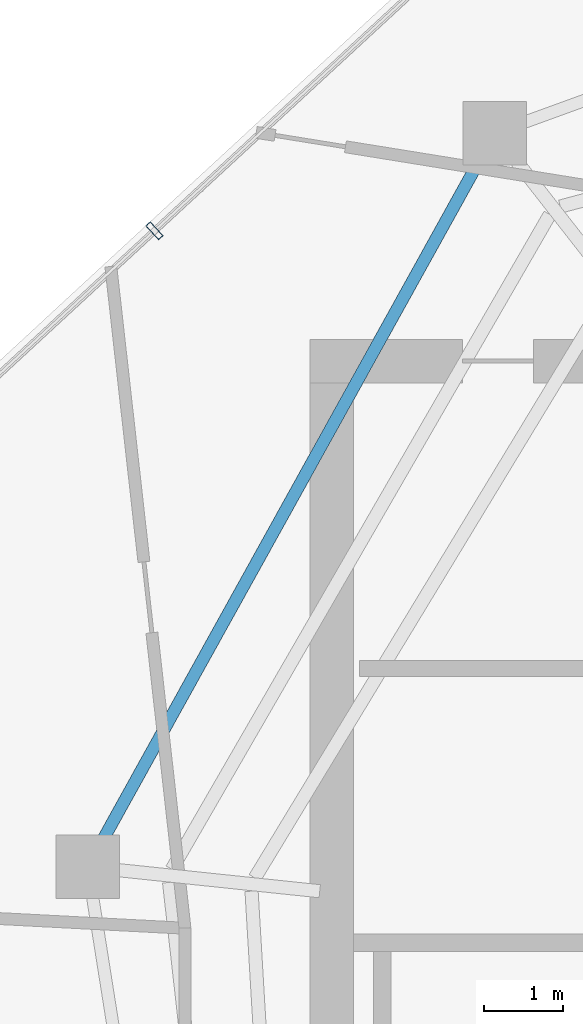
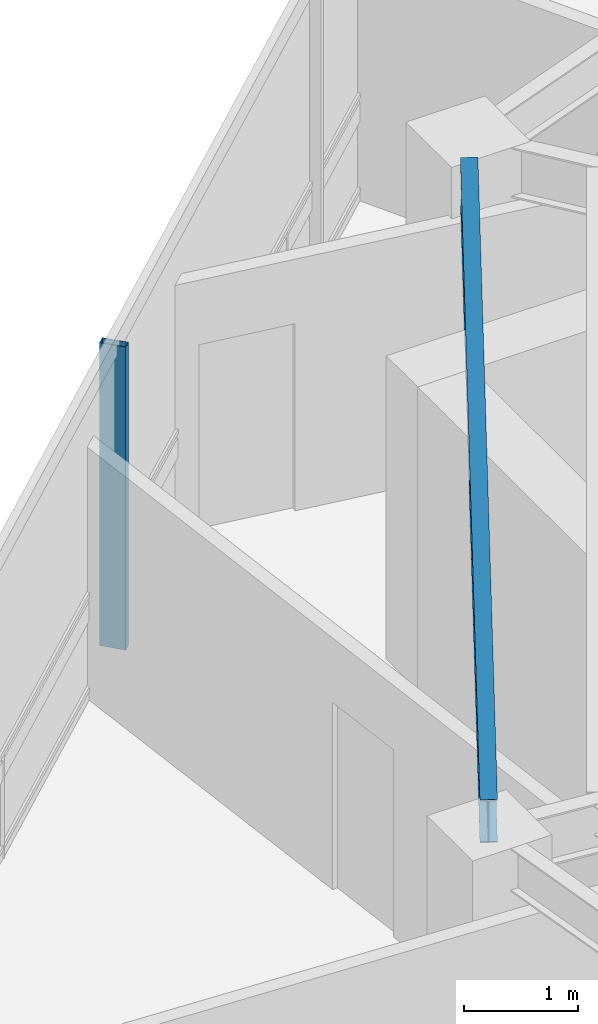
# One storey, part 6 of 19: 1 beam, 1 member, 1 element without a shape of its own.
"""IFC4 building model written with IfcOpenShell, lengths in metres."""

from ifc_helpers import new_model, si_unit, direction, frame, origin, origin_2d, place, context, subcontext, project, spatial, hollow_rectangle, i_section, extrude, material, layer, layer_set, material_profile, profile_set, type_object, element, aggregate, save


model = new_model("IFC4")

# Units and contexts
model_context = context("Model", 3, precision=1e-05, world=origin(), true_north=direction((0.0, 1.0)))
body_context = subcontext(model_context, "Body", "Model", "MODEL_VIEW")
ifc_project = project(units=[si_unit("LENGTHUNIT", "METRE"), si_unit("AREAUNIT", "SQUARE_METRE"), si_unit("VOLUMEUNIT", "CUBIC_METRE"), si_unit("PLANEANGLEUNIT", "RADIAN"), si_unit("MASSUNIT", "GRAM", prefix="KILO")], contexts=[model_context])

# Site, building, storey
site_placement = place(None, origin())
site = spatial("IfcSite", under=ifc_project, at=site_placement, CompositionType="ELEMENT")
building_placement = place(site_placement, origin())
building = spatial("IfcBuilding", under=site, at=building_placement, Name="Qarnah Convention Tower", CompositionType="ELEMENT")
storey_placement = place(building_placement, frame((0.0, 0.0, 228.300048828125)))
storey = spatial("IfcBuildingStorey", under=building, at=storey_placement, Name="L61", CompositionType="ELEMENT", Elevation=228.300048828125)

# Beam
ifc_material_1 = material(Name="Structural steel S355JR", Category="steel")
ifc_material_profile_1 = material_profile(ifc_material_1, i_section(OverallWidth=0.154052734375, OverallDepth=0.4599609375, WebThickness=0.009033203125, FlangeThickness=0.014892578125, at=origin_2d()), Name="W460X68")
ifc_profile_set_1 = profile_set([ifc_material_profile_1], Name="Structural steel S355JR")
beam_type = type_object("IfcBeamType", Name="BM-SPN-W460B", PredefinedType="SPANDREL", material=ifc_profile_set_1)
beam_placement = place(storey_placement, frame((28.6689453125, 36.737060546875, 3.010009765625), z_axis=(-0.48479748752, -0.87462643231, 0.0), x_axis=(0.87462643231, -0.48479748752, 0.0)))
element("IfcBeam", 1, at=beam_placement, inside=storey, type_object=beam_type, Name="L61 spandrel BM-L61-SPN-04", PredefinedType="SPANDREL", context=body_context, shape_type="SweptSolid", body=[
    extrude(i_section(OverallWidth=0.154052734375, OverallDepth=0.4599609375, WebThickness=0.009033203125, FlangeThickness=0.014892578125, at=origin_2d()), origin(), (0.0, 0.0, 1.0), 9.81005859375),
])

# Curtain wall, member
ifc_material_2 = material(Name="Tempered Low-E dark glass", Category="glass")
ifc_layer = layer(ifc_material_2, 0.176025390625)
ifc_layer_set = layer_set([ifc_layer], Name="Tempered Low-E dark glass")
curtain_wall_type = type_object("IfcCurtainWallType", Name="CWS-05", PredefinedType="NOTDEFINED", material=ifc_layer_set)
curtain_wall_placement = place(storey_placement, origin())
curtain_wall = element("IfcCurtainWall", 2, at=curtain_wall_placement, inside=storey, type_object=curtain_wall_type, Name="L61 unitised curtain wall CW-L61-F1", PredefinedType="NOTDEFINED")
ifc_material_3 = material(Name="Black anodised aluminium", Category="aluminium")
ifc_material_profile_2 = material_profile(ifc_material_3, hollow_rectangle(XDim=0.080078125, YDim=0.239990234375, WallThickness=0.0048828125, at=origin_2d()), Name="MUL-80X240")
ifc_profile_set_2 = profile_set([ifc_material_profile_2], Name="Black anodised aluminium")
member_type = type_object("IfcMemberType", Name="MUL-T5", PredefinedType="MULLION", material=ifc_profile_set_2)
member_placement = place(storey_placement, frame((24.5634765625, 35.844482421875, 0.0), z_axis=(0.0, 0.0, 1.0), x_axis=(0.734656810589, 0.678438921831, 0.0)))
member = element("IfcMember", 3, at=member_placement, type_object=member_type, Name="CW-L61-F1 mullion 3", PredefinedType="MULLION", context=body_context, shape_type="SweptSolid", body=[
    extrude(hollow_rectangle(XDim=0.080078125, YDim=0.239990234375, WallThickness=0.0048828125, at=origin_2d()), origin(), (0.0, 0.0, 1.0), 3.239990234375),
])
aggregate(curtain_wall, [member])

save(model, "model.ifc")
